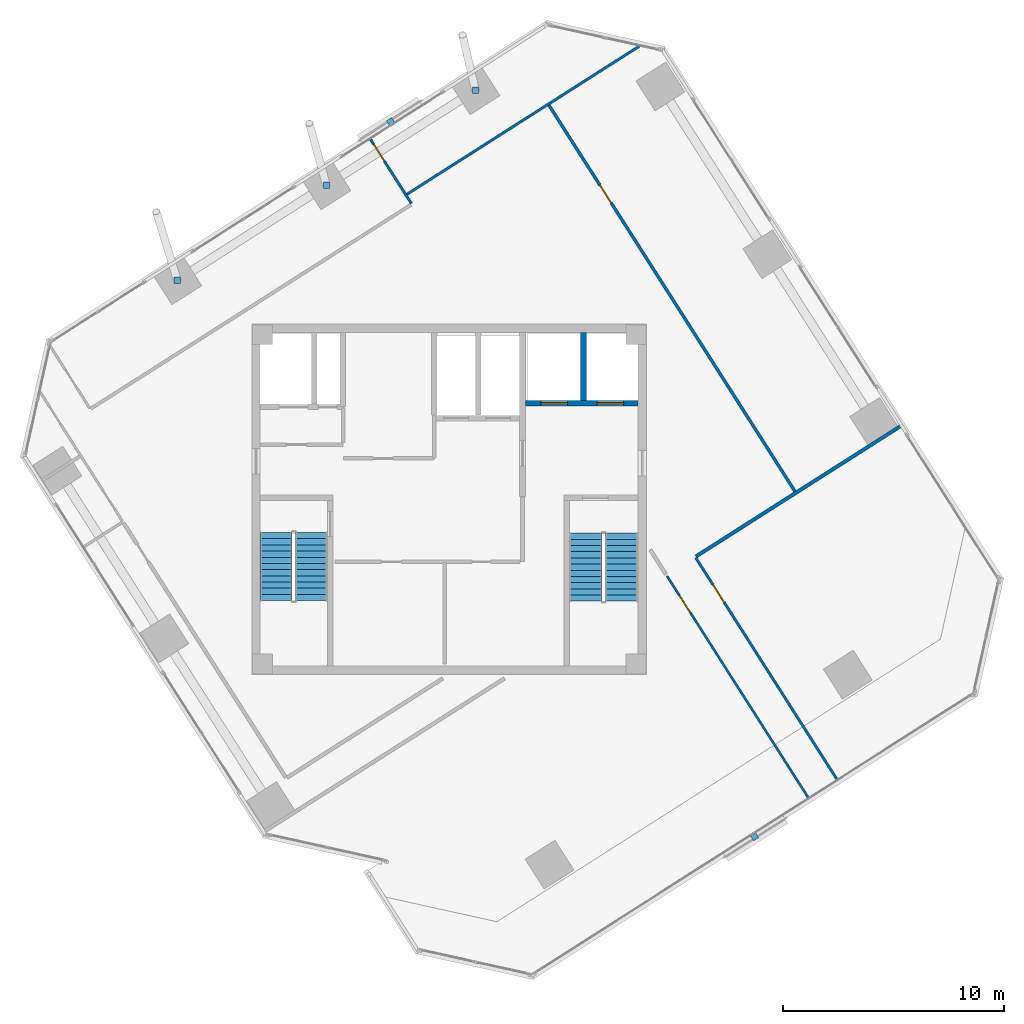
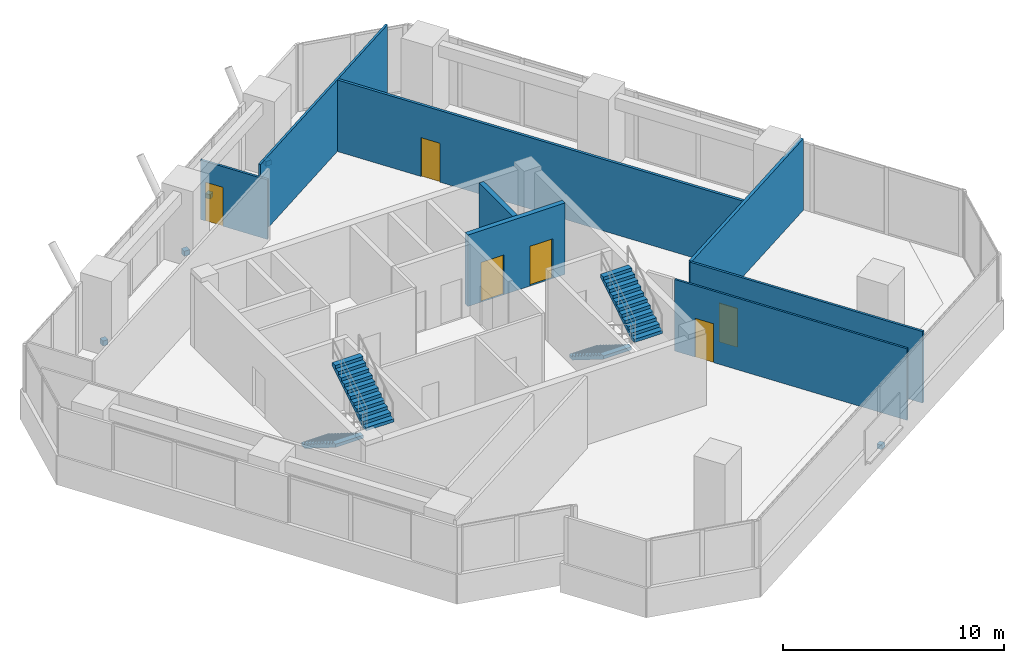
# One storey, part 11 of 14: 8 walls, 6 doors, 5 discrete accessories, 4 stair flights, 6 openings, 2 elements without a shape of their own.
"""IFC4 building model written with IfcOpenShell, lengths in metres."""

from ifc_helpers import new_model, si_unit, direction, frame, frame_2d, origin, origin_2d, place, context, subcontext, project, spatial, polyline, rectangle, outline, extrude, source, transform, mapped, material, layer, layer_set, type_object, element, fill, aggregate, save


model = new_model("IFC4")

# Units and contexts
model_context = context("Model", 3, precision=1e-05, world=origin(), true_north=direction((0.0, 1.0)))
body_context = subcontext(model_context, "Body", "Model", "MODEL_VIEW")
ifc_project = project(units=[si_unit("LENGTHUNIT", "METRE"), si_unit("AREAUNIT", "SQUARE_METRE"), si_unit("VOLUMEUNIT", "CUBIC_METRE"), si_unit("PLANEANGLEUNIT", "RADIAN"), si_unit("MASSUNIT", "GRAM", prefix="KILO")], contexts=[model_context])

# Site, building, storey
site_placement = place(None, origin())
site = spatial("IfcSite", under=ifc_project, at=site_placement, CompositionType="ELEMENT")
building_placement = place(site_placement, origin())
building = spatial("IfcBuilding", under=site, at=building_placement, Name="Torre Montelarca", CompositionType="ELEMENT")
storey_placement = place(building_placement, frame((0.0, 0.0, 315.60009765625)))
storey = spatial("IfcBuildingStorey", under=building, at=storey_placement, Name="L71", CompositionType="ELEMENT", Elevation=315.60009765625)

# Wall, openings, doors
ifc_material_1 = material(Name="Concrete C40/50", Category="concrete")
ifc_layer_1 = layer(ifc_material_1, 0.25, Name="Concrete C40/50", Category="concrete")
ifc_layer_set_1 = layer_set([ifc_layer_1], Name="Concrete C40/50")
wall_type_1 = type_object("IfcWallType", Name="CW-SHAFT-250", PredefinedType="SHEAR", material=ifc_layer_set_1)
wall_1_placement = place(storey_placement, frame((21.449951171875, 36.35009765625, 0.0), z_axis=(0.0, 0.0, 1.0), x_axis=(1.0, 0.0, 0.0)))
wall_1 = element("IfcWall", 1, at=wall_1_placement, inside=storey, type_object=wall_type_1, Name="L71 Core Shear Wall SH-FF-S", PredefinedType="SHEAR", context=body_context, shape_type="SweptSolid", body=[
    extrude(rectangle(XDim=5.090087890625, YDim=0.25, at=frame_2d((2.544921875, 0.0))), origin(), (0.0, 0.0, 1.0), 3.9599609375),
])
opening_1_placement = place(wall_1_placement, frame((0.699951171875, 0.0, 0.0)))
opening_1 = element("IfcOpeningElement", 2, at=opening_1_placement, cuts=wall_1, Name="Opening LD-120", PredefinedType="OPENING", context=body_context, shape_type="SweptSolid", body=[
    extrude(rectangle(XDim=1.199951171875, YDim=2.199951171875, at=frame_2d((0.60009765625, 1.10009765625))), frame((0.0, 0.135009765625, 0.0), z_axis=(0.0, -1.0, 0.0), x_axis=(1.0, 0.0, 0.0)), (0.0, 0.0, 1.0), 0.27001953125),
])
opening_2_placement = place(wall_1_placement, frame((3.25, 0.0, 0.0)))
opening_2 = element("IfcOpeningElement", 3, at=opening_2_placement, cuts=wall_1, Name="Opening LD-120", PredefinedType="OPENING", context=body_context, shape_type="SweptSolid", body=[
    extrude(rectangle(XDim=1.199951171875, YDim=2.199951171875, at=frame_2d((0.60009765625, 1.10009765625))), frame((0.0, 0.135009765625, 0.0), z_axis=(0.0, -1.0, 0.0), x_axis=(1.0, 0.0, 0.0)), (0.0, 0.0, 1.0), 0.27001953125),
])
ifc_material_2 = material(Name="Brushed stainless steel AISI 316", Category="steel")
door_type_1 = type_object("IfcDoorType", Name="DR-LIFT-120", OperationType="SLIDING_TO_RIGHT", PredefinedType="DOOR", material=ifc_material_2)
shared_shape_1 = source(origin(), body_context, "Body", "SweptSolid", [
    extrude(rectangle(XDim=1.199951171875, YDim=2.199951171875, at=frame_2d((0.60009765625, 1.10009765625))), frame((0.0, 0.02490234375, 0.0), z_axis=(0.0, -1.0, 0.0), x_axis=(1.0, 0.0, 0.0)), (0.0, 0.0, 1.0), 0.050048828125),
])
door_1_placement = place(opening_1_placement, origin())
door_1 = element("IfcDoor", 4, at=door_1_placement, inside=storey, type_object=door_type_1, Name="L71 Lift Landing Sliding Door FF-1", OperationType="SLIDING_TO_LEFT", OverallHeight=2.199951171875, OverallWidth=1.199951171875, PredefinedType="DOOR", context=body_context, shape_type="MappedRepresentation", body=[
    mapped(shared_shape_1, transform((0.0, 0.0, 0.0), scale=1.0)),
])
fill(opening_1, door_1)
door_2_placement = place(opening_2_placement, origin())
door_2 = element("IfcDoor", 5, at=door_2_placement, inside=storey, type_object=door_type_1, Name="L71 Lift Landing Sliding Door FF-2", OperationType="SLIDING_TO_RIGHT", OverallHeight=2.199951171875, OverallWidth=1.199951171875, PredefinedType="DOOR", context=body_context, shape_type="MappedRepresentation", body=[
    mapped(shared_shape_1, transform((0.0, 0.0, 0.0), scale=1.0)),
])
fill(opening_2, door_2)

# Walls
wall_2_placement = place(storey_placement, frame((24.080078125, 36.47998046875, 0.0), z_axis=(0.0, 0.0, 1.0), x_axis=(0.0, 1.0, 0.0)))
element("IfcWall", 6, at=wall_2_placement, inside=storey, type_object=wall_type_1, Name="L71 Core Shear Wall SH-FF-M", PredefinedType="SHEAR", context=body_context, shape_type="SweptSolid", body=[
    extrude(rectangle(XDim=3.06005859375, YDim=0.25, at=frame_2d((1.530029296875, 0.0))), origin(), (0.0, 0.0, 1.0), 3.9599609375),
])
ifc_material_3 = material(Name="Gypsum plasterboard on steel stud", Category="steel")
ifc_layer_2 = layer(ifc_material_3, 0.159912109375, Name="Gypsum plasterboard on steel stud", Category="steel")
ifc_layer_set_2 = layer_set([ifc_layer_2], Name="Gypsum plasterboard on steel stud")
wall_type_2 = type_object("IfcWallType", Name="PW-FIRE-160", PredefinedType="PARTITIONING", material=ifc_layer_set_2)
wall_3_placement = place(storey_placement, frame((29.16943359375, 29.416015625, 0.0), z_axis=(0.0, 0.0, 1.0), x_axis=(0.843389386546, 0.537302840734, 0.0)))
element("IfcWall", 7, at=wall_3_placement, inside=storey, type_object=wall_type_2, Name="L71 Interior Partition W-L71-ECN", PredefinedType="PARTITIONING", context=body_context, shape_type="SweptSolid", body=[
    extrude(rectangle(XDim=10.940185546875, YDim=0.159912109375, at=frame_2d((5.47021484375, 0.0))), origin(), (0.0, 0.0, 1.0), 3.9599609375),
])

# Wall, opening, door
ifc_material_4 = material(Name="Acoustic laminated glass partition", Category="glass")
ifc_layer_3 = layer(ifc_material_4, 0.10009765625, Name="Acoustic laminated glass partition", Category="glass")
ifc_layer_set_3 = layer_set([ifc_layer_3], Name="Acoustic laminated glass partition")
wall_type_3 = type_object("IfcWallType", Name="PW-GLAZ-100", PredefinedType="PARTITIONING", material=ifc_layer_set_3)
wall_4_placement = place(storey_placement, frame((27.8583984375, 28.533447265625, 0.0), z_axis=(0.0, 0.0, 1.0), x_axis=(0.537294294715, -0.843394830946, 0.0)))
wall_4 = element("IfcWall", 8, at=wall_4_placement, inside=storey, type_object=wall_type_3, Name="L71 Interior Partition W-L71-SE-N", PredefinedType="PARTITIONING", context=body_context, shape_type="SweptSolid", body=[
    extrude(rectangle(XDim=11.8798828125, YDim=0.10009765625, at=frame_2d((5.93994140625, 0.0))), origin(), (0.0, 0.0, 1.0), 3.9599609375),
])
opening_3_placement = place(wall_4_placement, frame((1.050048828125, 0.0, 0.0)))
opening_3 = element("IfcOpeningElement", 9, at=opening_3_placement, cuts=wall_4, Name="Opening ID-095", PredefinedType="OPENING", context=body_context, shape_type="SweptSolid", body=[
    extrude(rectangle(XDim=0.949951171875, YDim=2.14990234375, at=frame_2d((0.47509765625, 1.074951171875))), frame((0.0, 0.06005859375, 0.0), z_axis=(0.0, -1.0, 0.0), x_axis=(1.0, 0.0, 0.0)), (0.0, 0.0, 1.0), 0.1201171875),
])
ifc_material_5 = material(Name="Hardwood acoustic timber veneer", Category="wood")
door_type_2 = type_object("IfcDoorType", Name="DR-INT-095", OperationType="NOTDEFINED", PredefinedType="DOOR", material=ifc_material_5)
shared_shape_2 = source(origin(), body_context, "Body", "SweptSolid", [
    extrude(rectangle(XDim=0.949951171875, YDim=2.14990234375, at=frame_2d((0.47509765625, 1.074951171875))), frame((0.0, 0.02490234375, 0.0), z_axis=(0.0, -1.0, 0.0), x_axis=(1.0, 0.0, 0.0)), (0.0, 0.0, 1.0), 0.050048828125),
])
door_3_placement = place(opening_3_placement, origin())
door_3 = element("IfcDoor", 10, at=door_3_placement, inside=storey, type_object=door_type_2, Name="L71 Interior Door 12", OperationType="SINGLE_SWING_LEFT", OverallHeight=2.14990234375, OverallWidth=0.949951171875, PredefinedType="DOOR", context=body_context, shape_type="MappedRepresentation", body=[
    mapped(shared_shape_2, transform((0.0, 0.0, 0.0), scale=1.0)),
])
fill(opening_3, door_3)

ifc_layer_4 = layer(ifc_material_3, 0.114990234375, Name="Gypsum plasterboard on steel stud", Category="steel")
ifc_layer_set_4 = layer_set([ifc_layer_4], Name="Gypsum plasterboard on steel stud")
wall_type_4 = type_object("IfcWallType", Name="PW-PART-115", PredefinedType="PARTITIONING", material=ifc_layer_set_4)
wall_5_placement = place(storey_placement, frame((14.447998046875, 48.28076171875, 0.0), z_axis=(0.0, 0.0, 1.0), x_axis=(0.537285301829, -0.843400559899, 0.0)))
wall_5 = element("IfcWall", 11, at=wall_5_placement, inside=storey, type_object=wall_type_4, Name="L71 Interior Partition W-L71-WPKN", PredefinedType="PARTITIONING", context=body_context, shape_type="SweptSolid", body=[
    extrude(rectangle(XDim=3.43017578125, YDim=0.114990234375, at=frame_2d((1.715087890625, 0.0))), origin(), (0.0, 0.0, 1.0), 3.294921875),
])
opening_4_placement = place(wall_5_placement, frame((0.25, 0.0, 0.0)))
opening_4 = element("IfcOpeningElement", 12, at=opening_4_placement, cuts=wall_5, Name="Opening ID-090", PredefinedType="OPENING", context=body_context, shape_type="SweptSolid", body=[
    extrude(rectangle(XDim=0.89990234375, YDim=2.14990234375, at=frame_2d((0.449951171875, 1.074951171875))), frame((0.0, 0.0673828125, 0.0), z_axis=(0.0, -1.0, 0.0), x_axis=(1.0, 0.0, 0.0)), (0.0, 0.0, 1.0), 0.135009765625),
])
door_type_3 = type_object("IfcDoorType", Name="DR-INT-090", OperationType="NOTDEFINED", PredefinedType="DOOR", material=ifc_material_5)
shared_shape_3 = source(origin(), body_context, "Body", "SweptSolid", [
    extrude(rectangle(XDim=0.89990234375, YDim=2.14990234375, at=frame_2d((0.449951171875, 1.074951171875))), frame((0.0, 0.02490234375, 0.0), z_axis=(0.0, -1.0, 0.0), x_axis=(1.0, 0.0, 0.0)), (0.0, 0.0, 1.0), 0.050048828125),
])
door_4_placement = place(opening_4_placement, origin())
door_4 = element("IfcDoor", 13, at=door_4_placement, inside=storey, type_object=door_type_3, Name="L71 Interior Door 10", OperationType="SINGLE_SWING_RIGHT", OverallHeight=2.14990234375, OverallWidth=0.89990234375, PredefinedType="DOOR", context=body_context, shape_type="MappedRepresentation", body=[
    mapped(shared_shape_3, transform((0.0, 0.0, 0.0), scale=1.0)),
])
fill(opening_4, door_4)

# Wall
wall_6_placement = place(storey_placement, frame((16.077392578125, 45.79736328125, 0.0), z_axis=(0.0, 0.0, 1.0), x_axis=(0.843392973199, 0.537297210824, 0.0)))
element("IfcWall", 14, at=wall_6_placement, inside=storey, type_object=wall_type_4, Name="L71 Interior Partition W-L71-WPKE2", PredefinedType="PARTITIONING", context=body_context, shape_type="SweptSolid", body=[
    extrude(rectangle(XDim=12.471923828125, YDim=0.114990234375, at=frame_2d((6.23583984375, 0.0))), origin(), (0.0, 0.0, 1.0), 3.9599609375),
])

# Wall, opening, door
wall_7_placement = place(storey_placement, frame((29.1572265625, 29.36083984375, 0.0), z_axis=(0.0, 0.0, 1.0), x_axis=(0.537294294715, -0.843394830946, 0.0)))
wall_7 = element("IfcWall", 15, at=wall_7_placement, inside=storey, type_object=wall_type_4, Name="L71 Interior Partition W-L71-NE-S", PredefinedType="PARTITIONING", context=body_context, shape_type="SweptSolid", body=[
    extrude(rectangle(XDim=11.8798828125, YDim=0.114990234375, at=frame_2d((5.93994140625, 0.0))), origin(), (0.0, 0.0, 1.0), 3.9599609375),
])
opening_5_placement = place(wall_7_placement, frame((1.449951171875, 0.0, 0.0)))
opening_5 = element("IfcOpeningElement", 16, at=opening_5_placement, cuts=wall_7, Name="Opening ID-095", PredefinedType="OPENING", context=body_context, shape_type="SweptSolid", body=[
    extrude(rectangle(XDim=0.949951171875, YDim=2.14990234375, at=frame_2d((0.47509765625, 1.074951171875))), frame((0.0, 0.0673828125, 0.0), z_axis=(0.0, -1.0, 0.0), x_axis=(1.0, 0.0, 0.0)), (0.0, 0.0, 1.0), 0.135009765625),
])
door_5_placement = place(opening_5_placement, origin())
door_5 = element("IfcDoor", 17, at=door_5_placement, inside=storey, type_object=door_type_2, Name="L71 Interior Door 11", OperationType="SINGLE_SWING_LEFT", OverallHeight=2.14990234375, OverallWidth=0.949951171875, PredefinedType="DOOR", context=body_context, shape_type="MappedRepresentation", body=[
    mapped(shared_shape_2, transform((0.0, 0.0, 0.0), scale=1.0)),
])
fill(opening_5, door_5)

ifc_layer_5 = layer(ifc_material_3, 0.135009765625, Name="Gypsum plasterboard on steel stud", Category="steel")
ifc_layer_set_5 = layer_set([ifc_layer_5], Name="Gypsum plasterboard on steel stud")
wall_type_5 = type_object("IfcWallType", Name="PW-PART-135", PredefinedType="PARTITIONING", material=ifc_layer_set_5)
wall_8_placement = place(storey_placement, frame((22.5087890625, 49.84716796875, 0.0), z_axis=(0.0, 0.0, 1.0), x_axis=(0.537290700932, -0.843397120396, 0.0)))
wall_8 = element("IfcWall", 18, at=wall_8_placement, inside=storey, type_object=wall_type_5, Name="L71 Interior Partition W-L71-NBOT", PredefinedType="PARTITIONING", context=body_context, shape_type="SweptSolid", body=[
    extrude(rectangle(XDim=20.770263671875, YDim=0.135009765625, at=frame_2d((10.38525390625, 0.0))), origin(), (0.0, 0.0, 1.0), 3.9599609375),
])
opening_6_placement = place(wall_8_placement, frame((4.300048828125, 0.0, 0.0)))
opening_6 = element("IfcOpeningElement", 19, at=opening_6_placement, cuts=wall_8, Name="Opening ID-095", PredefinedType="OPENING", context=body_context, shape_type="SweptSolid", body=[
    extrude(rectangle(XDim=0.949951171875, YDim=2.14990234375, at=frame_2d((0.47509765625, 1.074951171875))), frame((0.0, 0.07763671875, 0.0), z_axis=(0.0, -1.0, 0.0), x_axis=(1.0, 0.0, 0.0)), (0.0, 0.0, 1.0), 0.155029296875),
])
door_6_placement = place(opening_6_placement, origin())
door_6 = element("IfcDoor", 20, at=door_6_placement, inside=storey, type_object=door_type_2, Name="L71 Interior Door 08", OperationType="SINGLE_SWING_LEFT", OverallHeight=2.14990234375, OverallWidth=0.949951171875, PredefinedType="DOOR", context=body_context, shape_type="MappedRepresentation", body=[
    mapped(shared_shape_2, transform((0.0, 0.0, 0.0), scale=1.0)),
])
fill(opening_6, door_6)

# Stair, stair flights
stair_type_1 = type_object("IfcStairType", Name="ST-CORE-ST1", PredefinedType="HALF_TURN_STAIR", material=ifc_material_1)
stair_1_placement = place(storey_placement, origin())
stair_1 = element("IfcStair", 21, at=stair_1_placement, inside=storey, type_object=stair_type_1, Name="L71 Protected Exit Stair ST1", PredefinedType="HALF_TURN_STAIR")
stair_flight_type_1 = type_object("IfcStairFlightType", Name="SFL-CORE-ST1", PredefinedType="STRAIGHT", material=ifc_material_1)
stair_flight_1_placement = place(storey_placement, frame((10.175048828125, 30.5, 0.0), z_axis=(0.0, 0.0, 1.0), x_axis=(0.0, -1.0, 0.0)))
stair_flight_1 = element("IfcStairFlight", 22, at=stair_flight_1_placement, type_object=stair_flight_type_1, Name="ST1 flight 1", NumberOfRisers=12, NumberOfTreads=11, PredefinedType="STRAIGHT", RiserHeight=0.175, TreadLength=0.28, context=body_context, shape_type="SweptSolid", body=[
    extrude(outline(polyline([(0.0, 0.0), (0.0, 0.175048828125), (0.280029296875, 0.175048828125), (0.280029296875, 0.35009765625), (0.56005859375, 0.35009765625), (0.56005859375, 0.52490234375), (0.840087890625, 0.52490234375), (0.840087890625, 0.699951171875), (1.1201171875, 0.699951171875), (1.1201171875, 0.875), (1.39990234375, 0.875), (1.39990234375, 1.050048828125), (1.679931640625, 1.050048828125), (1.679931640625, 1.22509765625), (1.9599609375, 1.22509765625), (1.9599609375, 1.39990234375), (2.239990234375, 1.39990234375), (2.239990234375, 1.574951171875), (2.52001953125, 1.574951171875), (2.52001953125, 1.75), (2.800048828125, 1.75), (2.800048828125, 1.925048828125), (3.080078125, 1.925048828125), (3.080078125, 2.10009765625), (3.080078125, 1.748291015625), (0.28271484375, 0.0), (0.0, 0.0)])), frame((0.0, 0.72509765625, 0.0), z_axis=(0.0, -1.0, 0.0), x_axis=(1.0, 0.0, 0.0)), (0.0, 0.0, 1.0), 1.449951171875),
])
stair_flight_2_placement = place(storey_placement, frame((11.77490234375, 27.419921875, 2.099853515625), z_axis=(0.0, 0.0, 1.0), x_axis=(0.0, 1.0, 0.0)))
stair_flight_2 = element("IfcStairFlight", 23, at=stair_flight_2_placement, type_object=stair_flight_type_1, Name="ST1 flight 2", NumberOfRisers=12, NumberOfTreads=11, PredefinedType="STRAIGHT", RiserHeight=0.175, TreadLength=0.28, context=body_context, shape_type="SweptSolid", body=[
    extrude(outline(polyline([(0.0, 0.0), (0.0, 0.175048828125), (0.280029296875, 0.175048828125), (0.280029296875, 0.35009765625), (0.56005859375, 0.35009765625), (0.56005859375, 0.52490234375), (0.840087890625, 0.52490234375), (0.840087890625, 0.699951171875), (1.1201171875, 0.699951171875), (1.1201171875, 0.875), (1.39990234375, 0.875), (1.39990234375, 1.050048828125), (1.679931640625, 1.050048828125), (1.679931640625, 1.22509765625), (1.9599609375, 1.22509765625), (1.9599609375, 1.39990234375), (2.239990234375, 1.39990234375), (2.239990234375, 1.574951171875), (2.52001953125, 1.574951171875), (2.52001953125, 1.75), (2.800048828125, 1.75), (2.800048828125, 1.925048828125), (3.080078125, 1.925048828125), (3.080078125, 2.10009765625), (3.080078125, 1.748291015625), (0.28271484375, 0.0), (0.0, 0.0)])), frame((0.0, 0.72509765625, 0.0), z_axis=(0.0, -1.0, 0.0), x_axis=(1.0, 0.0, 0.0)), (0.0, 0.0, 1.0), 1.449951171875),
])
aggregate(stair_1, [stair_flight_1, stair_flight_2])

stair_type_2 = type_object("IfcStairType", Name="ST-CORE-ST2", PredefinedType="HALF_TURN_STAIR", material=ifc_material_1)
stair_2_placement = place(storey_placement, origin())
stair_2 = element("IfcStair", 24, at=stair_2_placement, inside=storey, type_object=stair_type_2, Name="L71 Protected Exit Stair ST2", PredefinedType="HALF_TURN_STAIR")
stair_flight_type_2 = type_object("IfcStairFlightType", Name="SFL-CORE-ST2", PredefinedType="STRAIGHT", material=ifc_material_1)
stair_flight_3_placement = place(storey_placement, frame((24.179931640625, 30.469970703125, 0.0), z_axis=(0.0, 0.0, 1.0), x_axis=(0.0, -1.0, 0.0)))
stair_flight_3 = element("IfcStairFlight", 25, at=stair_flight_3_placement, type_object=stair_flight_type_2, Name="ST2 flight 1", NumberOfRisers=12, NumberOfTreads=11, PredefinedType="STRAIGHT", RiserHeight=0.175, TreadLength=0.28, context=body_context, shape_type="SweptSolid", body=[
    extrude(outline(polyline([(0.0, 0.0), (0.0, 0.175048828125), (0.280029296875, 0.175048828125), (0.280029296875, 0.35009765625), (0.56005859375, 0.35009765625), (0.56005859375, 0.52490234375), (0.840087890625, 0.52490234375), (0.840087890625, 0.699951171875), (1.1201171875, 0.699951171875), (1.1201171875, 0.875), (1.39990234375, 0.875), (1.39990234375, 1.050048828125), (1.679931640625, 1.050048828125), (1.679931640625, 1.22509765625), (1.9599609375, 1.22509765625), (1.9599609375, 1.39990234375), (2.239990234375, 1.39990234375), (2.239990234375, 1.574951171875), (2.52001953125, 1.574951171875), (2.52001953125, 1.75), (2.800048828125, 1.75), (2.800048828125, 1.925048828125), (3.080078125, 1.925048828125), (3.080078125, 2.10009765625), (3.080078125, 1.748291015625), (0.28271484375, 0.0), (0.0, 0.0)])), frame((0.0, 0.739990234375, 0.0), z_axis=(0.0, -1.0, 0.0), x_axis=(1.0, 0.0, 0.0)), (0.0, 0.0, 1.0), 1.47998046875),
])
stair_flight_4_placement = place(storey_placement, frame((25.81005859375, 27.389892578125, 2.099853515625), z_axis=(0.0, 0.0, 1.0), x_axis=(0.0, 1.0, 0.0)))
stair_flight_4 = element("IfcStairFlight", 26, at=stair_flight_4_placement, type_object=stair_flight_type_2, Name="ST2 flight 2", NumberOfRisers=12, NumberOfTreads=11, PredefinedType="STRAIGHT", RiserHeight=0.175, TreadLength=0.28, context=body_context, shape_type="SweptSolid", body=[
    extrude(outline(polyline([(0.0, 0.0), (0.0, 0.175048828125), (0.280029296875, 0.175048828125), (0.280029296875, 0.35009765625), (0.56005859375, 0.35009765625), (0.56005859375, 0.52490234375), (0.840087890625, 0.52490234375), (0.840087890625, 0.699951171875), (1.1201171875, 0.699951171875), (1.1201171875, 0.875), (1.39990234375, 0.875), (1.39990234375, 1.050048828125), (1.679931640625, 1.050048828125), (1.679931640625, 1.22509765625), (1.9599609375, 1.22509765625), (1.9599609375, 1.39990234375), (2.239990234375, 1.39990234375), (2.239990234375, 1.574951171875), (2.52001953125, 1.574951171875), (2.52001953125, 1.75), (2.800048828125, 1.75), (2.800048828125, 1.925048828125), (3.080078125, 1.925048828125), (3.080078125, 2.10009765625), (3.080078125, 1.748291015625), (0.28271484375, 0.0), (0.0, 0.0)])), frame((0.0, 0.739990234375, 0.0), z_axis=(0.0, -1.0, 0.0), x_axis=(1.0, 0.0, 0.0)), (0.0, 0.0, 1.0), 1.47998046875),
])
aggregate(stair_2, [stair_flight_3, stair_flight_4])

# Discrete accessories
ifc_material_6 = material(Name="Stainless steel AISI 316", Category="steel")
discrete_accessory_type = type_object("IfcDiscreteAccessoryType", Name="ACC-BRACKET-SS", PredefinedType="BRACKET", material=ifc_material_6)
shared_shape_4 = source(origin(), body_context, "Body", "SweptSolid", [
    extrude(rectangle(XDim=0.280029296875, YDim=0.280029296875, at=origin_2d()), origin(), (0.0, 0.0, 1.0), 0.280029296875),
])
for number, where, z_axis, x_axis, name in (
    (27, (5.699462890625, 41.91259765625, 0.009765625), (0.0, 0.0, 1.0), (1.0, 0.0, 0.0), "L72 Raker End Connection Bracket W1-FT"),
    (28, (12.446533203125, 46.211181640625, 0.009765625), (0.0, 0.0, 1.0), (1.0, 0.0, 0.0), "L72 Raker End Connection Bracket W2-FT"),
    (29, (19.193603515625, 50.509521484375, 0.009765625), (0.0, 0.0, 1.0), (1.0, 0.0, 0.0), "L72 Raker End Connection Bracket W3-FT"),
):
    element("IfcDiscreteAccessory", number, at=place(storey_placement, frame(where, z_axis=z_axis, x_axis=x_axis)), inside=storey, type_object=discrete_accessory_type, Name=name, PredefinedType="BRACKET", context=body_context, shape_type="MappedRepresentation", body=[
        mapped(shared_shape_4, transform((0.0, 0.0, 0.0), scale=1.0)),
    ])
shared_shape_5 = source(origin(), body_context, "Body", "SweptSolid", [
    extrude(rectangle(XDim=0.280029296875, YDim=0.260009765625, at=origin_2d()), origin(), (0.0, 0.0, 1.0), 0.239990234375),
])
for number, where, z_axis, x_axis, name in (
    (30, (31.81884765625, 16.7333984375, 0.39990234375), (0.0, 0.0, 1.0), (0.843391445813, 0.537299608347, 0.0), "L71 Solar Screen Support Bracket E6-1"),
    (31, (15.3525390625, 49.093994140625, 0.39990234375), (0.0, 0.0, 1.0), (-0.843392383576, -0.53729813635, 0.0), "L71 Solar Screen Support Bracket E10-1"),
):
    element("IfcDiscreteAccessory", number, at=place(storey_placement, frame(where, z_axis=z_axis, x_axis=x_axis)), inside=storey, type_object=discrete_accessory_type, Name=name, PredefinedType="BRACKET", context=body_context, shape_type="MappedRepresentation", body=[
        mapped(shared_shape_5, transform((0.0, 0.0, 0.0), scale=1.0)),
    ])

save(model, "model.ifc")
